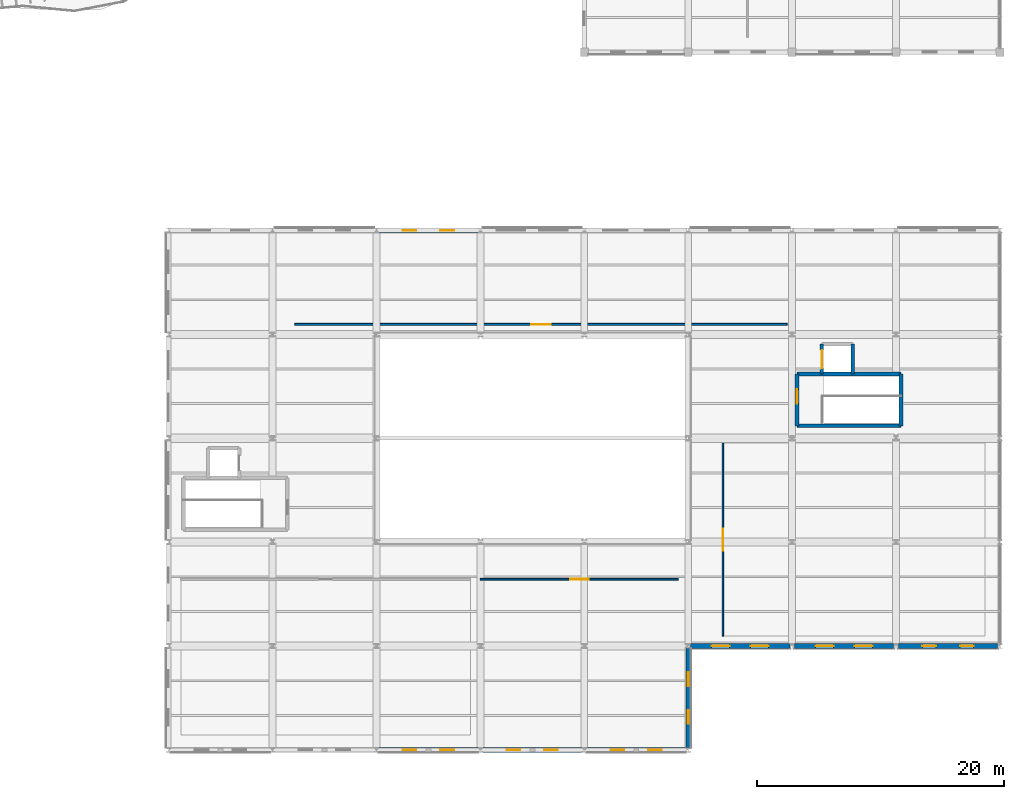
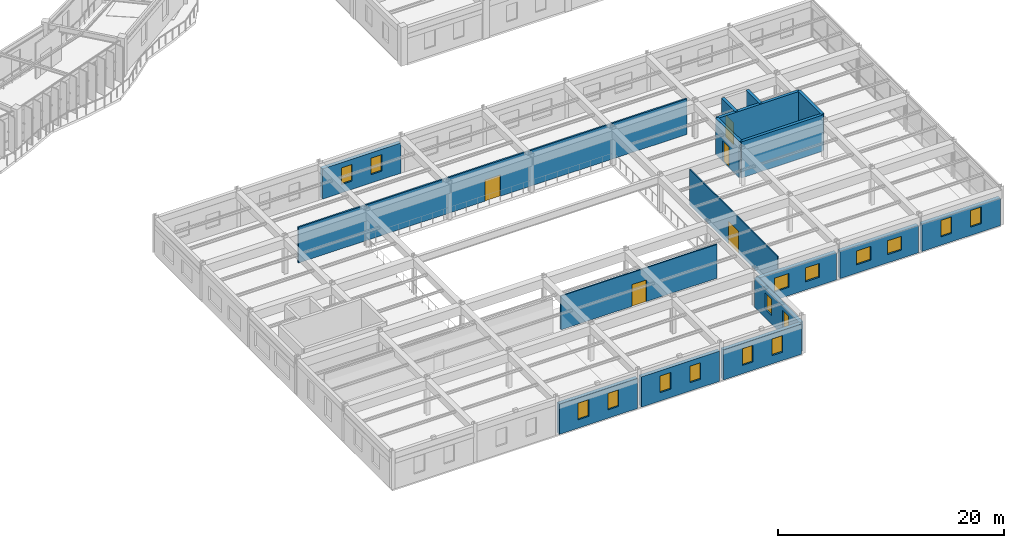
# One storey, part 117 of 138: 17 walls, 16 windows, 5 doors, 21 openings.
"""IFC4 building model written with IfcOpenShell, lengths in metres."""

from ifc_helpers import new_model, si_unit, direction, frame, frame_2d, origin, place, context, subcontext, project, spatial, rectangle, extrude, material, layer, layer_set, type_object, element, fill, save


model = new_model("IFC4")

# Units and contexts
model_context = context("Model", 3, precision=1e-05, world=origin(), true_north=direction((0.0, 1.0)))
body_context = subcontext(model_context, "Body", "Model", "MODEL_VIEW")
ifc_project = project(units=[si_unit("LENGTHUNIT", "METRE"), si_unit("AREAUNIT", "SQUARE_METRE"), si_unit("VOLUMEUNIT", "CUBIC_METRE"), si_unit("PLANEANGLEUNIT", "RADIAN"), si_unit("MASSUNIT", "GRAM", prefix="KILO"), si_unit("THERMODYNAMICTEMPERATUREUNIT", "KELVIN"), si_unit("POWERUNIT", "WATT")], contexts=[model_context])

# Site, building, storey
site_placement = place(None, origin())
site = spatial("IfcSite", under=ifc_project, at=site_placement, CompositionType="ELEMENT")
building_placement = place(site_placement, origin())
building = spatial("IfcBuilding", under=site, at=building_placement, Name="Darbajah Civic Hall", CompositionType="ELEMENT")
storey_placement = place(building_placement, frame((0.0, 0.0, 9.60009765625)))
storey = spatial("IfcBuildingStorey", under=building, at=storey_placement, Name="L02", CompositionType="ELEMENT", Elevation=9.60009765625)

# Walls
ifc_material_1 = material(Name="Concrete C45/55", Category="concrete")
ifc_layer_1 = layer(ifc_material_1, 0.300048828125, Name="Concrete C45/55")
ifc_layer_set_1 = layer_set([ifc_layer_1], Name="Concrete C45/55")
wall_type_1 = type_object("IfcWallType", Name="Core Shear Wall 300mm", PredefinedType="SHEAR", material=ifc_layer_set_1)
wall_1_placement = place(storey_placement, frame((161.800048828125, 26.199951171875, 0.0), z_axis=(0.0, 0.0, 1.0), x_axis=(1.0, 0.0, 0.0)))
element("IfcWall", 1, at=wall_1_placement, inside=storey, type_object=wall_type_1, Name="L02 core C07 shear wall S", PredefinedType="SHEAR", context=body_context, shape_type="SweptSolid", body=[
    extrude(rectangle(XDim=8.39990234375, YDim=0.300048828125, at=frame_2d((4.199951171875, 0.0))), origin(), (0.0, 0.0, 1.0), 3.919921875),
])
wall_2_placement = place(storey_placement, frame((170.199951171875, 26.199951171875, 0.0), z_axis=(0.0, 0.0, 1.0), x_axis=(0.0, 1.0, 0.0)))
element("IfcWall", 2, at=wall_2_placement, inside=storey, type_object=wall_type_1, Name="L02 core C07 shear wall E", PredefinedType="SHEAR", context=body_context, shape_type="SweptSolid", body=[
    extrude(rectangle(XDim=4.199951171875, YDim=0.300048828125, at=frame_2d((2.10009765625, 0.0))), origin(), (0.0, 0.0, 1.0), 3.919921875),
])
wall_3_placement = place(storey_placement, frame((170.199951171875, 30.39990234375, 0.0), z_axis=(0.0, 0.0, 1.0), x_axis=(-1.0, 0.0, 0.0)))
element("IfcWall", 3, at=wall_3_placement, inside=storey, type_object=wall_type_1, Name="L02 core C07 shear wall N", PredefinedType="SHEAR", context=body_context, shape_type="SweptSolid", body=[
    extrude(rectangle(XDim=8.39990234375, YDim=0.300048828125, at=frame_2d((4.199951171875, 0.0))), origin(), (0.0, 0.0, 1.0), 3.919921875),
])

# Wall, opening, door
wall_4_placement = place(storey_placement, frame((161.800048828125, 30.39990234375, 0.0), z_axis=(0.0, 0.0, 1.0), x_axis=(0.0, -1.0, 0.0)))
wall_4 = element("IfcWall", 4, at=wall_4_placement, inside=storey, type_object=wall_type_1, Name="L02 core C07 shear wall W", PredefinedType="SHEAR", context=body_context, shape_type="SweptSolid", body=[
    extrude(rectangle(XDim=4.199951171875, YDim=0.300048828125, at=frame_2d((2.10009765625, 0.0))), origin(), (0.0, 0.0, 1.0), 3.919921875),
])
opening_1_placement = place(wall_4_placement, frame((1.25, 0.0, 0.0)))
opening_1 = element("IfcOpeningElement", 5, at=opening_1_placement, cuts=wall_4, Name="Opening SD-0083", PredefinedType="OPENING", context=body_context, shape_type="SweptSolid", body=[
    extrude(rectangle(XDim=1.14990234375, YDim=2.199951171875, at=frame_2d((0.574951171875, 1.10009765625))), frame((0.0, 0.159912109375, 0.0), z_axis=(0.0, -1.0, 0.0), x_axis=(1.0, 0.0, 0.0)), (0.0, 0.0, 1.0), 0.320068359375),
])
ifc_material_2 = material(Name="Steel Rated Core Door", Category="steel")
door_type_1 = type_object("IfcDoorType", Name="Interior Door 1150x2200", OperationType="NOTDEFINED", PredefinedType="DOOR", material=ifc_material_2)
door_1_placement = place(opening_1_placement, origin())
door_1 = element("IfcDoor", 6, at=door_1_placement, inside=storey, type_object=door_type_1, Name="L02 stair ST07 fire door SD-0083", OperationType="SINGLE_SWING_RIGHT", OverallHeight=2.199951171875, OverallWidth=1.14990234375, PredefinedType="DOOR", context=body_context, shape_type="SweptSolid", body=[
    extrude(rectangle(XDim=1.14990234375, YDim=2.199951171875, at=frame_2d((0.574951171875, 1.10009765625))), frame((0.0, 0.02490234375, 0.0), z_axis=(0.0, -1.0, 0.0), x_axis=(1.0, 0.0, 0.0)), (0.0, 0.0, 1.0), 0.050048828125),
])
fill(opening_1, door_1)

wall_5_placement = place(storey_placement, frame((163.800048828125, 32.800048828125, 0.0), z_axis=(0.0, 0.0, 1.0), x_axis=(0.0, -1.0, 0.0)))
wall_5 = element("IfcWall", 7, at=wall_5_placement, inside=storey, type_object=wall_type_1, Name="L02 lift GL1 shaft wall W", PredefinedType="SHEAR", context=body_context, shape_type="SweptSolid", body=[
    extrude(rectangle(XDim=2.400146484375, YDim=0.300048828125, at=frame_2d((1.2001953125, 0.0))), origin(), (0.0, 0.0, 1.0), 3.919921875),
])
opening_2_placement = place(wall_5_placement, frame((0.47509765625, 0.0, 0.0)))
opening_2 = element("IfcOpeningElement", 8, at=opening_2_placement, cuts=wall_5, Name="Opening LD-0087", PredefinedType="OPENING", context=body_context, shape_type="SweptSolid", body=[
    extrude(rectangle(XDim=1.449951171875, YDim=2.35009765625, at=frame_2d((0.72509765625, 1.175048828125))), frame((0.0, 0.159912109375, 0.0), z_axis=(0.0, -1.0, 0.0), x_axis=(1.0, 0.0, 0.0)), (0.0, 0.0, 1.0), 0.320068359375),
])
ifc_material_3 = material(Name="Goods Lift Landing Door")
door_type_2 = type_object("IfcDoorType", Name="Lift Landing Door 1450x2350", OperationType="SLIDING_TO_LEFT", PredefinedType="DOOR", material=ifc_material_3)
door_2_placement = place(opening_2_placement, origin())
door_2 = element("IfcDoor", 9, at=door_2_placement, inside=storey, type_object=door_type_2, Name="L02 lift GL1 landing door LD-0087", OperationType="SLIDING_TO_LEFT", OverallHeight=2.35009765625, OverallWidth=1.449951171875, PredefinedType="DOOR", context=body_context, shape_type="SweptSolid", body=[
    extrude(rectangle(XDim=1.449951171875, YDim=2.35009765625, at=frame_2d((0.72509765625, 1.175048828125))), frame((0.0, 0.02490234375, 0.0), z_axis=(0.0, -1.0, 0.0), x_axis=(1.0, 0.0, 0.0)), (0.0, 0.0, 1.0), 0.050048828125),
])
fill(opening_2, door_2)

# Wall
wall_6_placement = place(storey_placement, frame((166.300048828125, 30.39990234375, 0.0), z_axis=(0.0, 0.0, 1.0), x_axis=(0.0, 1.0, 0.0)))
element("IfcWall", 10, at=wall_6_placement, inside=storey, type_object=wall_type_1, Name="L02 lift GL1 shaft wall E", PredefinedType="SHEAR", context=body_context, shape_type="SweptSolid", body=[
    extrude(rectangle(XDim=2.400146484375, YDim=0.300048828125, at=frame_2d((1.2001953125, 0.0))), origin(), (0.0, 0.0, 1.0), 3.919921875),
])

# Wall, openings, windows
ifc_material_4 = material(Name="Red Dholpur Sandstone Cladding", Category="masonry")
ifc_layer_2 = layer(ifc_material_4, 0.3798828125, Name="Red Dholpur Sandstone Cladding")
ifc_layer_set_2 = layer_set([ifc_layer_2], Name="Red Dholpur Sandstone Cladding")
wall_type_2 = type_object("IfcWallType", Name="Exterior Wall 380mm", PredefinedType="SOLIDWALL", material=ifc_layer_set_2)
wall_7_placement = place(storey_placement, frame((127.98828125, 0.0, 0.0), z_axis=(0.0, 0.0, 1.0), x_axis=(1.0, 0.0, 0.0)))
wall_7 = element("IfcWall", 11, at=wall_7_placement, inside=storey, type_object=wall_type_2, Name="L02 exterior wall EW-380", PredefinedType="SOLIDWALL", context=body_context, shape_type="SweptSolid", body=[
    extrude(rectangle(XDim=8.0234375, YDim=0.3798828125, at=frame_2d((4.01171875, 0.0))), origin(), (0.0, 0.0, 1.0), 3.27001953125),
])
opening_3_placement = place(wall_7_placement, frame((1.941162109375, 0.0, 0.89990234375)))
opening_3 = element("IfcOpeningElement", 12, at=opening_3_placement, cuts=wall_7, Name="Opening WN-17", PredefinedType="OPENING", context=body_context, shape_type="SweptSolid", body=[
    extrude(rectangle(XDim=1.10009765625, YDim=1.800048828125, at=frame_2d((0.550048828125, 0.89990234375))), frame((0.0, 0.199951171875, 0.0), z_axis=(0.0, -1.0, 0.0), x_axis=(1.0, 0.0, 0.0)), (0.0, 0.0, 1.0), 0.39990234375),
])
opening_4_placement = place(wall_7_placement, frame((4.982421875, 0.0, 0.89990234375)))
opening_4 = element("IfcOpeningElement", 13, at=opening_4_placement, cuts=wall_7, Name="Opening WN-17", PredefinedType="OPENING", context=body_context, shape_type="SweptSolid", body=[
    extrude(rectangle(XDim=1.10009765625, YDim=1.800048828125, at=frame_2d((0.550048828125, 0.89990234375))), frame((0.0, 0.199951171875, 0.0), z_axis=(0.0, -1.0, 0.0), x_axis=(1.0, 0.0, 0.0)), (0.0, 0.0, 1.0), 0.39990234375),
])
ifc_material_5 = material(Name="Low-E Solar Control Double Glazing", Category="glass")
window_type_1 = type_object("IfcWindowType", Name="Facade Window 1100x1800", PartitioningType="SINGLE_PANEL", PredefinedType="WINDOW", material=ifc_material_5)
window_1_placement = place(opening_3_placement, origin())
window_1 = element("IfcWindow", 14, at=window_1_placement, inside=storey, type_object=window_type_1, Name="L02 facade window WN-17", OverallHeight=1.800048828125, OverallWidth=1.10009765625, PartitioningType="SINGLE_PANEL", PredefinedType="WINDOW", context=body_context, shape_type="SweptSolid", body=[
    extrude(rectangle(XDim=1.10009765625, YDim=1.800048828125, at=frame_2d((0.550048828125, 0.89990234375))), frame((0.0, 0.030029296875, 0.0), z_axis=(0.0, -1.0, 0.0), x_axis=(1.0, 0.0, 0.0)), (0.0, 0.0, 1.0), 0.06005859375),
])
fill(opening_3, window_1)
window_2_placement = place(opening_4_placement, origin())
window_2 = element("IfcWindow", 15, at=window_2_placement, inside=storey, type_object=window_type_1, Name="L02 facade window WN-17", OverallHeight=1.800048828125, OverallWidth=1.10009765625, PartitioningType="SINGLE_PANEL", PredefinedType="WINDOW", context=body_context, shape_type="SweptSolid", body=[
    extrude(rectangle(XDim=1.10009765625, YDim=1.800048828125, at=frame_2d((0.550048828125, 0.89990234375))), frame((0.0, 0.030029296875, 0.0), z_axis=(0.0, -1.0, 0.0), x_axis=(1.0, 0.0, 0.0)), (0.0, 0.0, 1.0), 0.06005859375),
])
fill(opening_4, window_2)

wall_8_placement = place(storey_placement, frame((136.38818359375, 0.0, 0.0), z_axis=(0.0, 0.0, 1.0), x_axis=(1.0, 0.0, 0.0)))
wall_8 = element("IfcWall", 16, at=wall_8_placement, inside=storey, type_object=wall_type_2, Name="L02 exterior wall EW-380", PredefinedType="SOLIDWALL", context=body_context, shape_type="SweptSolid", body=[
    extrude(rectangle(XDim=8.0234375, YDim=0.3798828125, at=frame_2d((4.01171875, 0.0))), origin(), (0.0, 0.0, 1.0), 3.27001953125),
])
opening_5_placement = place(wall_8_placement, frame((1.941162109375, 0.0, 0.89990234375)))
opening_5 = element("IfcOpeningElement", 17, at=opening_5_placement, cuts=wall_8, Name="Opening WN-17", PredefinedType="OPENING", context=body_context, shape_type="SweptSolid", body=[
    extrude(rectangle(XDim=1.10009765625, YDim=1.800048828125, at=frame_2d((0.550048828125, 0.89990234375))), frame((0.0, 0.199951171875, 0.0), z_axis=(0.0, -1.0, 0.0), x_axis=(1.0, 0.0, 0.0)), (0.0, 0.0, 1.0), 0.39990234375),
])
opening_6_placement = place(wall_8_placement, frame((4.982421875, 0.0, 0.89990234375)))
opening_6 = element("IfcOpeningElement", 18, at=opening_6_placement, cuts=wall_8, Name="Opening WN-17", PredefinedType="OPENING", context=body_context, shape_type="SweptSolid", body=[
    extrude(rectangle(XDim=1.10009765625, YDim=1.800048828125, at=frame_2d((0.550048828125, 0.89990234375))), frame((0.0, 0.199951171875, 0.0), z_axis=(0.0, -1.0, 0.0), x_axis=(1.0, 0.0, 0.0)), (0.0, 0.0, 1.0), 0.39990234375),
])
window_3_placement = place(opening_5_placement, origin())
window_3 = element("IfcWindow", 19, at=window_3_placement, inside=storey, type_object=window_type_1, Name="L02 facade window WN-17", OverallHeight=1.800048828125, OverallWidth=1.10009765625, PartitioningType="SINGLE_PANEL", PredefinedType="WINDOW", context=body_context, shape_type="SweptSolid", body=[
    extrude(rectangle(XDim=1.10009765625, YDim=1.800048828125, at=frame_2d((0.550048828125, 0.89990234375))), frame((0.0, 0.030029296875, 0.0), z_axis=(0.0, -1.0, 0.0), x_axis=(1.0, 0.0, 0.0)), (0.0, 0.0, 1.0), 0.06005859375),
])
fill(opening_5, window_3)
window_4_placement = place(opening_6_placement, origin())
window_4 = element("IfcWindow", 20, at=window_4_placement, inside=storey, type_object=window_type_1, Name="L02 facade window WN-17", OverallHeight=1.800048828125, OverallWidth=1.10009765625, PartitioningType="SINGLE_PANEL", PredefinedType="WINDOW", context=body_context, shape_type="SweptSolid", body=[
    extrude(rectangle(XDim=1.10009765625, YDim=1.800048828125, at=frame_2d((0.550048828125, 0.89990234375))), frame((0.0, 0.030029296875, 0.0), z_axis=(0.0, -1.0, 0.0), x_axis=(1.0, 0.0, 0.0)), (0.0, 0.0, 1.0), 0.06005859375),
])
fill(opening_6, window_4)

wall_9_placement = place(storey_placement, frame((144.788330078125, 0.0, 0.0), z_axis=(0.0, 0.0, 1.0), x_axis=(1.0, 0.0, 0.0)))
wall_9 = element("IfcWall", 21, at=wall_9_placement, inside=storey, type_object=wall_type_2, Name="L02 exterior wall EW-380", PredefinedType="SOLIDWALL", context=body_context, shape_type="SweptSolid", body=[
    extrude(rectangle(XDim=8.0234375, YDim=0.3798828125, at=frame_2d((4.01171875, 0.0))), origin(), (0.0, 0.0, 1.0), 3.27001953125),
])
opening_7_placement = place(wall_9_placement, frame((1.941162109375, 0.0, 0.89990234375)))
opening_7 = element("IfcOpeningElement", 22, at=opening_7_placement, cuts=wall_9, Name="Opening WN-17", PredefinedType="OPENING", context=body_context, shape_type="SweptSolid", body=[
    extrude(rectangle(XDim=1.10009765625, YDim=1.800048828125, at=frame_2d((0.550048828125, 0.89990234375))), frame((0.0, 0.199951171875, 0.0), z_axis=(0.0, -1.0, 0.0), x_axis=(1.0, 0.0, 0.0)), (0.0, 0.0, 1.0), 0.39990234375),
])
opening_8_placement = place(wall_9_placement, frame((4.982421875, 0.0, 0.89990234375)))
opening_8 = element("IfcOpeningElement", 23, at=opening_8_placement, cuts=wall_9, Name="Opening WN-17", PredefinedType="OPENING", context=body_context, shape_type="SweptSolid", body=[
    extrude(rectangle(XDim=1.10009765625, YDim=1.800048828125, at=frame_2d((0.550048828125, 0.89990234375))), frame((0.0, 0.199951171875, 0.0), z_axis=(0.0, -1.0, 0.0), x_axis=(1.0, 0.0, 0.0)), (0.0, 0.0, 1.0), 0.39990234375),
])
window_5_placement = place(opening_7_placement, origin())
window_5 = element("IfcWindow", 24, at=window_5_placement, inside=storey, type_object=window_type_1, Name="L02 facade window WN-17", OverallHeight=1.800048828125, OverallWidth=1.10009765625, PartitioningType="SINGLE_PANEL", PredefinedType="WINDOW", context=body_context, shape_type="SweptSolid", body=[
    extrude(rectangle(XDim=1.10009765625, YDim=1.800048828125, at=frame_2d((0.550048828125, 0.89990234375))), frame((0.0, 0.030029296875, 0.0), z_axis=(0.0, -1.0, 0.0), x_axis=(1.0, 0.0, 0.0)), (0.0, 0.0, 1.0), 0.06005859375),
])
fill(opening_7, window_5)
window_6_placement = place(opening_8_placement, origin())
window_6 = element("IfcWindow", 25, at=window_6_placement, inside=storey, type_object=window_type_1, Name="L02 facade window WN-17", OverallHeight=1.800048828125, OverallWidth=1.10009765625, PartitioningType="SINGLE_PANEL", PredefinedType="WINDOW", context=body_context, shape_type="SweptSolid", body=[
    extrude(rectangle(XDim=1.10009765625, YDim=1.800048828125, at=frame_2d((0.550048828125, 0.89990234375))), frame((0.0, 0.030029296875, 0.0), z_axis=(0.0, -1.0, 0.0), x_axis=(1.0, 0.0, 0.0)), (0.0, 0.0, 1.0), 0.06005859375),
])
fill(opening_8, window_6)

wall_10_placement = place(storey_placement, frame((153.0, 0.18603515625, 0.0), z_axis=(0.0, 0.0, 1.0), x_axis=(0.0, 1.0, 0.0)))
wall_10 = element("IfcWall", 26, at=wall_10_placement, inside=storey, type_object=wall_type_2, Name="L02 exterior wall EW-380", PredefinedType="SOLIDWALL", context=body_context, shape_type="SweptSolid", body=[
    extrude(rectangle(XDim=8.02783203125, YDim=0.3798828125, at=frame_2d((4.013916015625, 0.0))), origin(), (0.0, 0.0, 1.0), 3.169921875),
])
opening_9_placement = place(wall_10_placement, frame((1.942626953125, 0.0, 0.89990234375)))
opening_9 = element("IfcOpeningElement", 27, at=opening_9_placement, cuts=wall_10, Name="Opening WN-17", PredefinedType="OPENING", context=body_context, shape_type="SweptSolid", body=[
    extrude(rectangle(XDim=1.10009765625, YDim=1.800048828125, at=frame_2d((0.550048828125, 0.89990234375))), frame((0.0, 0.199951171875, 0.0), z_axis=(0.0, -1.0, 0.0), x_axis=(1.0, 0.0, 0.0)), (0.0, 0.0, 1.0), 0.39990234375),
])
opening_10_placement = place(wall_10_placement, frame((4.985107421875, 0.0, 0.89990234375)))
opening_10 = element("IfcOpeningElement", 28, at=opening_10_placement, cuts=wall_10, Name="Opening WN-17", PredefinedType="OPENING", context=body_context, shape_type="SweptSolid", body=[
    extrude(rectangle(XDim=1.10009765625, YDim=1.800048828125, at=frame_2d((0.550048828125, 0.89990234375))), frame((0.0, 0.199951171875, 0.0), z_axis=(0.0, -1.0, 0.0), x_axis=(1.0, 0.0, 0.0)), (0.0, 0.0, 1.0), 0.39990234375),
])
window_7_placement = place(opening_9_placement, origin())
window_7 = element("IfcWindow", 29, at=window_7_placement, inside=storey, type_object=window_type_1, Name="L02 facade window WN-17", OverallHeight=1.800048828125, OverallWidth=1.10009765625, PartitioningType="SINGLE_PANEL", PredefinedType="WINDOW", context=body_context, shape_type="SweptSolid", body=[
    extrude(rectangle(XDim=1.10009765625, YDim=1.800048828125, at=frame_2d((0.550048828125, 0.89990234375))), frame((0.0, 0.030029296875, 0.0), z_axis=(0.0, -1.0, 0.0), x_axis=(1.0, 0.0, 0.0)), (0.0, 0.0, 1.0), 0.06005859375),
])
fill(opening_9, window_7)
window_8_placement = place(opening_10_placement, origin())
window_8 = element("IfcWindow", 30, at=window_8_placement, inside=storey, type_object=window_type_1, Name="L02 facade window WN-17", OverallHeight=1.800048828125, OverallWidth=1.10009765625, PartitioningType="SINGLE_PANEL", PredefinedType="WINDOW", context=body_context, shape_type="SweptSolid", body=[
    extrude(rectangle(XDim=1.10009765625, YDim=1.800048828125, at=frame_2d((0.550048828125, 0.89990234375))), frame((0.0, 0.030029296875, 0.0), z_axis=(0.0, -1.0, 0.0), x_axis=(1.0, 0.0, 0.0)), (0.0, 0.0, 1.0), 0.06005859375),
])
fill(opening_10, window_8)

wall_11_placement = place(storey_placement, frame((153.188232421875, 8.39990234375, 0.0), z_axis=(0.0, 0.0, 1.0), x_axis=(1.0, 0.0, 0.0)))
wall_11 = element("IfcWall", 31, at=wall_11_placement, inside=storey, type_object=wall_type_2, Name="L02 exterior wall EW-380", PredefinedType="SOLIDWALL", context=body_context, shape_type="SweptSolid", body=[
    extrude(rectangle(XDim=8.0234375, YDim=0.3798828125, at=frame_2d((4.01171875, 0.0))), origin(), (0.0, 0.0, 1.0), 2.969970703125),
])
opening_11_placement = place(wall_11_placement, frame((1.707763671875, 0.0, 0.89990234375)))
opening_11 = element("IfcOpeningElement", 32, at=opening_11_placement, cuts=wall_11, Name="Opening WN-25", PredefinedType="OPENING", context=body_context, shape_type="SweptSolid", body=[
    extrude(rectangle(XDim=1.449951171875, YDim=1.5, at=frame_2d((0.72509765625, 0.75))), frame((0.0, 0.199951171875, 0.0), z_axis=(0.0, -1.0, 0.0), x_axis=(1.0, 0.0, 0.0)), (0.0, 0.0, 1.0), 0.39990234375),
])
opening_12_placement = place(wall_11_placement, frame((4.865478515625, 0.0, 0.89990234375)))
opening_12 = element("IfcOpeningElement", 33, at=opening_12_placement, cuts=wall_11, Name="Opening WN-25", PredefinedType="OPENING", context=body_context, shape_type="SweptSolid", body=[
    extrude(rectangle(XDim=1.449951171875, YDim=1.5, at=frame_2d((0.72509765625, 0.75))), frame((0.0, 0.199951171875, 0.0), z_axis=(0.0, -1.0, 0.0), x_axis=(1.0, 0.0, 0.0)), (0.0, 0.0, 1.0), 0.39990234375),
])
window_type_2 = type_object("IfcWindowType", Name="Facade Window 1450x1500", PartitioningType="SINGLE_PANEL", PredefinedType="WINDOW", material=ifc_material_5)
window_9_placement = place(opening_11_placement, origin())
window_9 = element("IfcWindow", 34, at=window_9_placement, inside=storey, type_object=window_type_2, Name="L02 facade window WN-25", OverallHeight=1.5, OverallWidth=1.449951171875, PartitioningType="SINGLE_PANEL", PredefinedType="WINDOW", context=body_context, shape_type="SweptSolid", body=[
    extrude(rectangle(XDim=1.449951171875, YDim=1.5, at=frame_2d((0.72509765625, 0.75))), frame((0.0, 0.030029296875, 0.0), z_axis=(0.0, -1.0, 0.0), x_axis=(1.0, 0.0, 0.0)), (0.0, 0.0, 1.0), 0.06005859375),
])
fill(opening_11, window_9)
window_10_placement = place(opening_12_placement, origin())
window_10 = element("IfcWindow", 35, at=window_10_placement, inside=storey, type_object=window_type_2, Name="L02 facade window WN-25", OverallHeight=1.5, OverallWidth=1.449951171875, PartitioningType="SINGLE_PANEL", PredefinedType="WINDOW", context=body_context, shape_type="SweptSolid", body=[
    extrude(rectangle(XDim=1.449951171875, YDim=1.5, at=frame_2d((0.72509765625, 0.75))), frame((0.0, 0.030029296875, 0.0), z_axis=(0.0, -1.0, 0.0), x_axis=(1.0, 0.0, 0.0)), (0.0, 0.0, 1.0), 0.06005859375),
])
fill(opening_12, window_10)

wall_12_placement = place(storey_placement, frame((161.58837890625, 8.39990234375, 0.0), z_axis=(0.0, 0.0, 1.0), x_axis=(1.0, 0.0, 0.0)))
wall_12 = element("IfcWall", 36, at=wall_12_placement, inside=storey, type_object=wall_type_2, Name="L02 exterior wall EW-380", PredefinedType="SOLIDWALL", context=body_context, shape_type="SweptSolid", body=[
    extrude(rectangle(XDim=8.0234375, YDim=0.3798828125, at=frame_2d((4.01171875, 0.0))), origin(), (0.0, 0.0, 1.0), 2.969970703125),
])
opening_13_placement = place(wall_12_placement, frame((1.707763671875, 0.0, 0.89990234375)))
opening_13 = element("IfcOpeningElement", 37, at=opening_13_placement, cuts=wall_12, Name="Opening WN-25", PredefinedType="OPENING", context=body_context, shape_type="SweptSolid", body=[
    extrude(rectangle(XDim=1.449951171875, YDim=1.5, at=frame_2d((0.72509765625, 0.75))), frame((0.0, 0.199951171875, 0.0), z_axis=(0.0, -1.0, 0.0), x_axis=(1.0, 0.0, 0.0)), (0.0, 0.0, 1.0), 0.39990234375),
])
opening_14_placement = place(wall_12_placement, frame((4.865478515625, 0.0, 0.89990234375)))
opening_14 = element("IfcOpeningElement", 38, at=opening_14_placement, cuts=wall_12, Name="Opening WN-25", PredefinedType="OPENING", context=body_context, shape_type="SweptSolid", body=[
    extrude(rectangle(XDim=1.449951171875, YDim=1.5, at=frame_2d((0.72509765625, 0.75))), frame((0.0, 0.199951171875, 0.0), z_axis=(0.0, -1.0, 0.0), x_axis=(1.0, 0.0, 0.0)), (0.0, 0.0, 1.0), 0.39990234375),
])
window_11_placement = place(opening_13_placement, origin())
window_11 = element("IfcWindow", 39, at=window_11_placement, inside=storey, type_object=window_type_2, Name="L02 facade window WN-25", OverallHeight=1.5, OverallWidth=1.449951171875, PartitioningType="SINGLE_PANEL", PredefinedType="WINDOW", context=body_context, shape_type="SweptSolid", body=[
    extrude(rectangle(XDim=1.449951171875, YDim=1.5, at=frame_2d((0.72509765625, 0.75))), frame((0.0, 0.030029296875, 0.0), z_axis=(0.0, -1.0, 0.0), x_axis=(1.0, 0.0, 0.0)), (0.0, 0.0, 1.0), 0.06005859375),
])
fill(opening_13, window_11)
window_12_placement = place(opening_14_placement, origin())
window_12 = element("IfcWindow", 40, at=window_12_placement, inside=storey, type_object=window_type_2, Name="L02 facade window WN-25", OverallHeight=1.5, OverallWidth=1.449951171875, PartitioningType="SINGLE_PANEL", PredefinedType="WINDOW", context=body_context, shape_type="SweptSolid", body=[
    extrude(rectangle(XDim=1.449951171875, YDim=1.5, at=frame_2d((0.72509765625, 0.75))), frame((0.0, 0.030029296875, 0.0), z_axis=(0.0, -1.0, 0.0), x_axis=(1.0, 0.0, 0.0)), (0.0, 0.0, 1.0), 0.06005859375),
])
fill(opening_14, window_12)

wall_13_placement = place(storey_placement, frame((169.98828125, 8.39990234375, 0.0), z_axis=(0.0, 0.0, 1.0), x_axis=(1.0, 0.0, 0.0)))
wall_13 = element("IfcWall", 41, at=wall_13_placement, inside=storey, type_object=wall_type_2, Name="L02 exterior wall EW-380", PredefinedType="SOLIDWALL", context=body_context, shape_type="SweptSolid", body=[
    extrude(rectangle(XDim=8.0234375, YDim=0.3798828125, at=frame_2d((4.01171875, 0.0))), origin(), (0.0, 0.0, 1.0), 2.969970703125),
])
opening_15_placement = place(wall_13_placement, frame((1.941162109375, 0.0, 0.89990234375)))
opening_15 = element("IfcOpeningElement", 42, at=opening_15_placement, cuts=wall_13, Name="Opening WN-17", PredefinedType="OPENING", context=body_context, shape_type="SweptSolid", body=[
    extrude(rectangle(XDim=1.10009765625, YDim=1.800048828125, at=frame_2d((0.550048828125, 0.89990234375))), frame((0.0, 0.199951171875, 0.0), z_axis=(0.0, -1.0, 0.0), x_axis=(1.0, 0.0, 0.0)), (0.0, 0.0, 1.0), 0.39990234375),
])
opening_16_placement = place(wall_13_placement, frame((4.982421875, 0.0, 0.89990234375)))
opening_16 = element("IfcOpeningElement", 43, at=opening_16_placement, cuts=wall_13, Name="Opening WN-17", PredefinedType="OPENING", context=body_context, shape_type="SweptSolid", body=[
    extrude(rectangle(XDim=1.10009765625, YDim=1.800048828125, at=frame_2d((0.550048828125, 0.89990234375))), frame((0.0, 0.199951171875, 0.0), z_axis=(0.0, -1.0, 0.0), x_axis=(1.0, 0.0, 0.0)), (0.0, 0.0, 1.0), 0.39990234375),
])
window_13_placement = place(opening_15_placement, origin())
window_13 = element("IfcWindow", 44, at=window_13_placement, inside=storey, type_object=window_type_1, Name="L02 facade window WN-17", OverallHeight=1.800048828125, OverallWidth=1.10009765625, PartitioningType="SINGLE_PANEL", PredefinedType="WINDOW", context=body_context, shape_type="SweptSolid", body=[
    extrude(rectangle(XDim=1.10009765625, YDim=1.800048828125, at=frame_2d((0.550048828125, 0.89990234375))), frame((0.0, 0.030029296875, 0.0), z_axis=(0.0, -1.0, 0.0), x_axis=(1.0, 0.0, 0.0)), (0.0, 0.0, 1.0), 0.06005859375),
])
fill(opening_15, window_13)
window_14_placement = place(opening_16_placement, origin())
window_14 = element("IfcWindow", 45, at=window_14_placement, inside=storey, type_object=window_type_1, Name="L02 facade window WN-17", OverallHeight=1.800048828125, OverallWidth=1.10009765625, PartitioningType="SINGLE_PANEL", PredefinedType="WINDOW", context=body_context, shape_type="SweptSolid", body=[
    extrude(rectangle(XDim=1.10009765625, YDim=1.800048828125, at=frame_2d((0.550048828125, 0.89990234375))), frame((0.0, 0.030029296875, 0.0), z_axis=(0.0, -1.0, 0.0), x_axis=(1.0, 0.0, 0.0)), (0.0, 0.0, 1.0), 0.06005859375),
])
fill(opening_16, window_14)

wall_14_placement = place(storey_placement, frame((136.01171875, 42.0, 0.0), z_axis=(0.0, 0.0, 1.0), x_axis=(-1.0, 0.0, 0.0)))
wall_14 = element("IfcWall", 46, at=wall_14_placement, inside=storey, type_object=wall_type_2, Name="L02 exterior wall EW-380", PredefinedType="SOLIDWALL", context=body_context, shape_type="SweptSolid", body=[
    extrude(rectangle(XDim=8.0234375, YDim=0.3798828125, at=frame_2d((4.01171875, 0.0))), origin(), (0.0, 0.0, 1.0), 3.27001953125),
])
opening_17_placement = place(wall_14_placement, frame((1.941162109375, 0.0, 0.89990234375)))
opening_17 = element("IfcOpeningElement", 47, at=opening_17_placement, cuts=wall_14, Name="Opening WN-17", PredefinedType="OPENING", context=body_context, shape_type="SweptSolid", body=[
    extrude(rectangle(XDim=1.10009765625, YDim=1.800048828125, at=frame_2d((0.550048828125, 0.89990234375))), frame((0.0, 0.199951171875, 0.0), z_axis=(0.0, -1.0, 0.0), x_axis=(1.0, 0.0, 0.0)), (0.0, 0.0, 1.0), 0.39990234375),
])
opening_18_placement = place(wall_14_placement, frame((4.982421875, 0.0, 0.89990234375)))
opening_18 = element("IfcOpeningElement", 48, at=opening_18_placement, cuts=wall_14, Name="Opening WN-17", PredefinedType="OPENING", context=body_context, shape_type="SweptSolid", body=[
    extrude(rectangle(XDim=1.10009765625, YDim=1.800048828125, at=frame_2d((0.550048828125, 0.89990234375))), frame((0.0, 0.199951171875, 0.0), z_axis=(0.0, -1.0, 0.0), x_axis=(1.0, 0.0, 0.0)), (0.0, 0.0, 1.0), 0.39990234375),
])
window_15_placement = place(opening_17_placement, origin())
window_15 = element("IfcWindow", 49, at=window_15_placement, inside=storey, type_object=window_type_1, Name="L02 facade window WN-17", OverallHeight=1.800048828125, OverallWidth=1.10009765625, PartitioningType="SINGLE_PANEL", PredefinedType="WINDOW", context=body_context, shape_type="SweptSolid", body=[
    extrude(rectangle(XDim=1.10009765625, YDim=1.800048828125, at=frame_2d((0.550048828125, 0.89990234375))), frame((0.0, 0.030029296875, 0.0), z_axis=(0.0, -1.0, 0.0), x_axis=(1.0, 0.0, 0.0)), (0.0, 0.0, 1.0), 0.06005859375),
])
fill(opening_17, window_15)
window_16_placement = place(opening_18_placement, origin())
window_16 = element("IfcWindow", 50, at=window_16_placement, inside=storey, type_object=window_type_1, Name="L02 facade window WN-17", OverallHeight=1.800048828125, OverallWidth=1.10009765625, PartitioningType="SINGLE_PANEL", PredefinedType="WINDOW", context=body_context, shape_type="SweptSolid", body=[
    extrude(rectangle(XDim=1.10009765625, YDim=1.800048828125, at=frame_2d((0.550048828125, 0.89990234375))), frame((0.0, 0.030029296875, 0.0), z_axis=(0.0, -1.0, 0.0), x_axis=(1.0, 0.0, 0.0)), (0.0, 0.0, 1.0), 0.06005859375),
])
fill(opening_18, window_16)

# Wall, opening, door
ifc_material_6 = material(Name="Acoustic Gypsum Partition")
ifc_layer_3 = layer(ifc_material_6, 0.114990234375, Name="Acoustic Gypsum Partition")
ifc_layer_set_3 = layer_set([ifc_layer_3], Name="Acoustic Gypsum Partition")
wall_type_3 = type_object("IfcWallType", Name="Interior Partition 115mm", PredefinedType="PARTITIONING", material=ifc_layer_set_3)
wall_15_placement = place(storey_placement, frame((155.800048828125, 9.199951171875, 0.0), z_axis=(0.0, 0.0, 1.0), x_axis=(0.0, 1.0, 0.0)))
wall_15 = element("IfcWall", 51, at=wall_15_placement, inside=storey, type_object=wall_type_3, Name="L02 interior partition L02-V3-03", PredefinedType="PARTITIONING", context=body_context, shape_type="SweptSolid", body=[
    extrude(rectangle(XDim=15.60009765625, YDim=0.114990234375, at=frame_2d((7.800048828125, 0.0))), origin(), (0.0, 0.0, 1.0), 3.85986328125),
])
opening_19_placement = place(wall_15_placement, frame((6.89990234375, 0.0, 0.0)))
opening_19 = element("IfcOpeningElement", 52, at=opening_19_placement, cuts=wall_15, Name="Opening D-0211", PredefinedType="OPENING", context=body_context, shape_type="SweptSolid", body=[
    extrude(rectangle(XDim=1.800048828125, YDim=2.39990234375, at=frame_2d((0.89990234375, 1.199951171875))), frame((0.0, 0.0673828125, 0.0), z_axis=(0.0, -1.0, 0.0), x_axis=(1.0, 0.0, 0.0)), (0.0, 0.0, 1.0), 0.135009765625),
])
ifc_material_7 = material(Name="Painted Hardwood Fire Door", Category="wood")
door_type_3 = type_object("IfcDoorType", Name="Interior Door 1800x2400", OperationType="NOTDEFINED", PredefinedType="DOOR", material=ifc_material_7)
door_3_placement = place(opening_19_placement, origin())
door_3 = element("IfcDoor", 53, at=door_3_placement, inside=storey, type_object=door_type_3, Name="L02 L02-V3-03 door D-0211", OperationType="DOUBLE_DOOR_SINGLE_SWING", OverallHeight=2.39990234375, OverallWidth=1.800048828125, PredefinedType="DOOR", context=body_context, shape_type="SweptSolid", body=[
    extrude(rectangle(XDim=1.800048828125, YDim=2.39990234375, at=frame_2d((0.89990234375, 1.199951171875))), frame((0.0, 0.02490234375, 0.0), z_axis=(0.0, -1.0, 0.0), x_axis=(1.0, 0.0, 0.0)), (0.0, 0.0, 1.0), 0.050048828125),
])
fill(opening_19, door_3)

ifc_material_8 = material(Name="Gypsum Plasterboard on Steel Stud", Category="steel")
ifc_layer_4 = layer(ifc_material_8, 0.135009765625, Name="Gypsum Plasterboard on Steel Stud")
ifc_layer_set_4 = layer_set([ifc_layer_4], Name="Gypsum Plasterboard on Steel Stud")
wall_type_4 = type_object("IfcWallType", Name="Interior Partition 135mm", PredefinedType="PARTITIONING", material=ifc_layer_set_4)
wall_16_placement = place(storey_placement, frame((136.199951171875, 13.800048828125, 0.0), z_axis=(0.0, 0.0, 1.0), x_axis=(1.0, 0.0, 0.0)))
wall_16 = element("IfcWall", 54, at=wall_16_placement, inside=storey, type_object=wall_type_4, Name="L02 interior partition L02-V3-02", PredefinedType="PARTITIONING", context=body_context, shape_type="SweptSolid", body=[
    extrude(rectangle(XDim=16.0, YDim=0.135009765625, at=frame_2d((8.0, 0.0))), origin(), (0.0, 0.0, 1.0), 3.663818359375),
])
opening_20_placement = place(wall_16_placement, frame((7.25, 0.0, 0.0)))
opening_20 = element("IfcOpeningElement", 55, at=opening_20_placement, cuts=wall_16, Name="Opening D-0210", PredefinedType="OPENING", context=body_context, shape_type="SweptSolid", body=[
    extrude(rectangle(XDim=1.5, YDim=2.35009765625, at=frame_2d((0.75, 1.175048828125))), frame((0.0, 0.077392578125, 0.0), z_axis=(0.0, -1.0, 0.0), x_axis=(1.0, 0.0, 0.0)), (0.0, 0.0, 1.0), 0.155029296875),
])
ifc_material_9 = material(Name="Committee Chamber Double Door")
door_type_4 = type_object("IfcDoorType", Name="Interior Door 1500x2350", OperationType="NOTDEFINED", PredefinedType="DOOR", material=ifc_material_9)
door_4_placement = place(opening_20_placement, origin())
door_4 = element("IfcDoor", 56, at=door_4_placement, inside=storey, type_object=door_type_4, Name="L02 L02-V3-02 door D-0210", OperationType="DOUBLE_DOOR_SINGLE_SWING", OverallHeight=2.35009765625, OverallWidth=1.5, PredefinedType="DOOR", context=body_context, shape_type="SweptSolid", body=[
    extrude(rectangle(XDim=1.5, YDim=2.35009765625, at=frame_2d((0.75, 1.175048828125))), frame((0.0, 0.02490234375, 0.0), z_axis=(0.0, -1.0, 0.0), x_axis=(1.0, 0.0, 0.0)), (0.0, 0.0, 1.0), 0.050048828125),
])
fill(opening_20, door_4)

ifc_layer_5 = layer(ifc_material_8, 0.159912109375, Name="Gypsum Plasterboard on Steel Stud")
ifc_layer_set_5 = layer_set([ifc_layer_5], Name="Gypsum Plasterboard on Steel Stud")
wall_type_5 = type_object("IfcWallType", Name="Interior Partition 160mm", PredefinedType="PARTITIONING", material=ifc_layer_set_5)
wall_17_placement = place(storey_placement, frame((121.199951171875, 34.39990234375, 0.0), z_axis=(0.0, 0.0, 1.0), x_axis=(1.0, 0.0, 0.0)))
wall_17 = element("IfcWall", 57, at=wall_17_placement, inside=storey, type_object=wall_type_5, Name="L02 interior partition L02-V3-04", PredefinedType="PARTITIONING", context=body_context, shape_type="SweptSolid", body=[
    extrude(rectangle(XDim=39.800048828125, YDim=0.159912109375, at=frame_2d((19.89990234375, 0.0))), origin(), (0.0, 0.0, 1.0), 3.85986328125),
])
opening_21_placement = place(wall_17_placement, frame((19.10009765625, 0.0, 0.0)))
opening_21 = element("IfcOpeningElement", 58, at=opening_21_placement, cuts=wall_17, Name="Opening D-0212", PredefinedType="OPENING", context=body_context, shape_type="SweptSolid", body=[
    extrude(rectangle(XDim=1.60009765625, YDim=2.300048828125, at=frame_2d((0.800048828125, 1.14990234375))), frame((0.0, 0.08984375, 0.0), z_axis=(0.0, -1.0, 0.0), x_axis=(1.0, 0.0, 0.0)), (0.0, 0.0, 1.0), 0.179931640625),
])
door_type_5 = type_object("IfcDoorType", Name="Interior Door 1600x2300", OperationType="NOTDEFINED", PredefinedType="DOOR", material=ifc_material_7)
door_5_placement = place(opening_21_placement, origin())
door_5 = element("IfcDoor", 59, at=door_5_placement, inside=storey, type_object=door_type_5, Name="L02 L02-V3-04 door D-0212", OperationType="DOUBLE_DOOR_SINGLE_SWING", OverallHeight=2.300048828125, OverallWidth=1.60009765625, PredefinedType="DOOR", context=body_context, shape_type="SweptSolid", body=[
    extrude(rectangle(XDim=1.60009765625, YDim=2.300048828125, at=frame_2d((0.800048828125, 1.14990234375))), frame((0.0, 0.02490234375, 0.0), z_axis=(0.0, -1.0, 0.0), x_axis=(1.0, 0.0, 0.0)), (0.0, 0.0, 1.0), 0.050048828125),
])
fill(opening_21, door_5)

save(model, "model.ifc")
